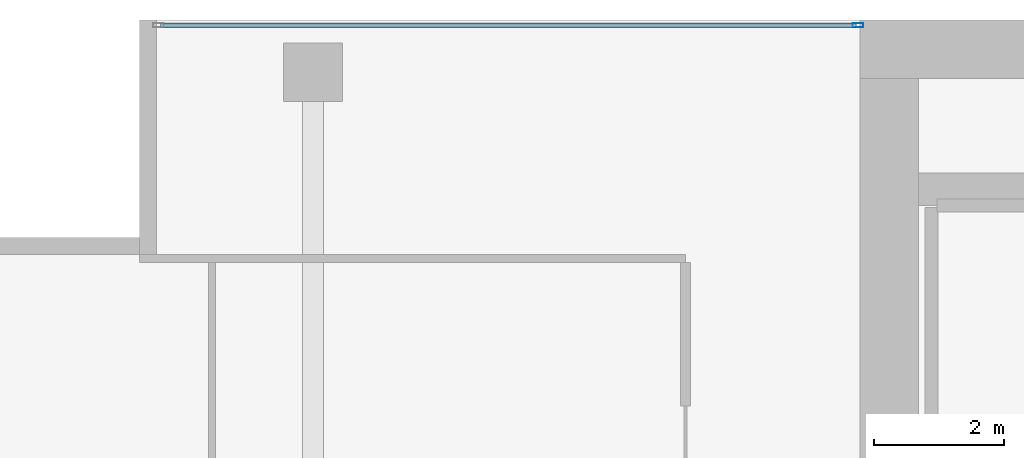
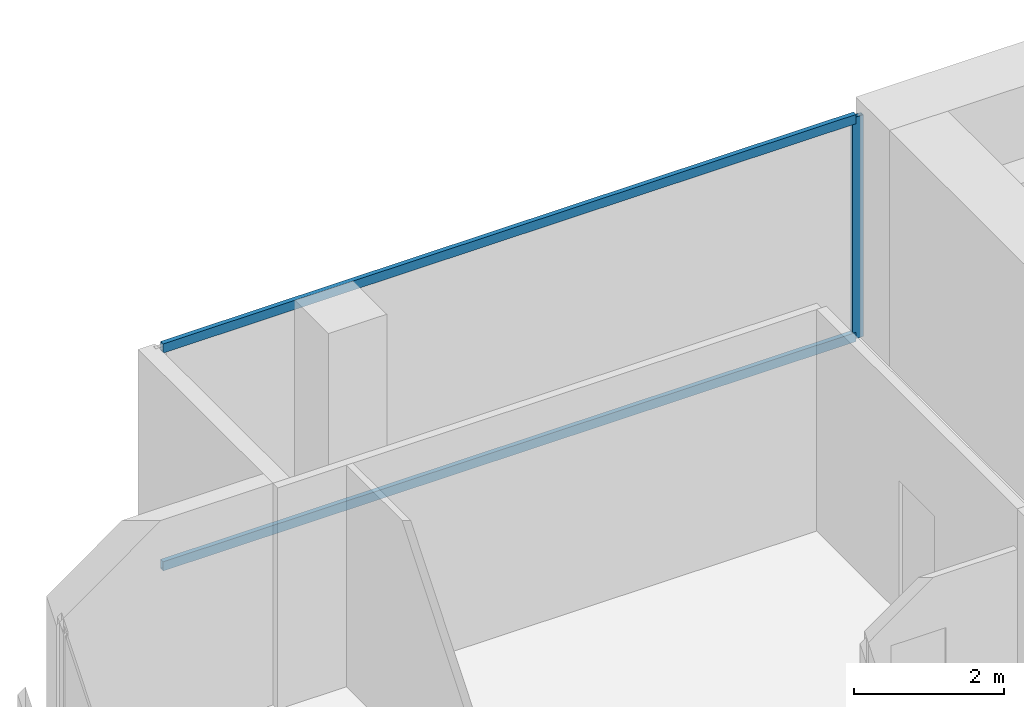
# One storey, part 26 of 40: 3 members, 1 element without a shape of its own.
"""IFC4 building model written with IfcOpenShell, lengths in metres."""

from ifc_helpers import new_model, si_unit, direction, frame, origin, origin_2d, place, context, subcontext, project, spatial, hollow_rectangle, extrude, material, layer, layer_set, material_profile, profile_set, type_object, element, aggregate, save


model = new_model("IFC4")

# Units and contexts
model_context = context("Model", 3, precision=1e-05, world=origin(), true_north=direction((0.0, 1.0)))
body_context = subcontext(model_context, "Body", "Model", "MODEL_VIEW")
ifc_project = project(units=[si_unit("LENGTHUNIT", "METRE"), si_unit("AREAUNIT", "SQUARE_METRE"), si_unit("VOLUMEUNIT", "CUBIC_METRE"), si_unit("PLANEANGLEUNIT", "RADIAN"), si_unit("MASSUNIT", "GRAM", prefix="KILO")], contexts=[model_context])

# Site, building, storey
site_placement = place(None, origin())
site = spatial("IfcSite", under=ifc_project, at=site_placement, CompositionType="ELEMENT")
building_placement = place(site_placement, origin())
building = spatial("IfcBuilding", under=site, at=building_placement, Name="Maruvema Waterfront Hotel and Observation Tower", CompositionType="ELEMENT")
storey_placement = place(building_placement, frame((0.0, 0.0, 53.89990234375)))
storey = spatial("IfcBuildingStorey", under=building, at=storey_placement, Name="L12", CompositionType="ELEMENT", Elevation=53.89990234375)

# Curtain wall, members
ifc_material_1 = material(Name="Anodised bronze aluminium and solar-control low-E IGU", Category="aluminium")
ifc_layer = layer(ifc_material_1, 0.159912109375, Name="Zone 1 Bronze Inner Thermal Curtain Wall System CW-02")
ifc_layer_set = layer_set([ifc_layer], Name="Anodised bronze aluminium and solar-control low-E IGU")
curtain_wall_type = type_object("IfcCurtainWallType", Name="Zone 1 Bronze Inner Thermal Curtain Wall System CW-02", PredefinedType="USERDEFINED", material=ifc_layer_set)
curtain_wall_placement = place(storey_placement, origin())
curtain_wall = element("IfcCurtainWall", 1, at=curtain_wall_placement, inside=storey, type_object=curtain_wall_type, Name="L12 Curtain Wall CW-L12-NW", ObjectType="UNITISED CURTAIN WALL", PredefinedType="USERDEFINED")
ifc_material_2 = material(Name="Anodised architectural bronze aluminium", Category="aluminium")
ifc_material_profile_1 = material_profile(ifc_material_2, hollow_rectangle(XDim=0.070068359375, YDim=0.14990234375, WallThickness=0.00390625, at=origin_2d()), Name="ALU-T70x150")
ifc_profile_set_1 = profile_set([ifc_material_profile_1], Name="Anodised architectural bronze aluminium")
member_type_1 = type_object("IfcMemberType", Name="Curtain Wall Horizontal Transom ALU-T70x150", PredefinedType="USERDEFINED", material=ifc_profile_set_1)
member_1_placement = place(storey_placement, frame((25.139892578125, 53.919921875, 0.030029296875), z_axis=(-1.0, 0.0, 0.0), x_axis=(0.0, -1.0, 0.0)))
member_1 = element("IfcMember", 2, at=member_1_placement, type_object=member_type_1, Name="CW-02 transom 1.1", ObjectType="TRANSOM", PredefinedType="USERDEFINED", context=body_context, shape_type="SweptSolid", body=[
    extrude(hollow_rectangle(XDim=0.070068359375, YDim=0.14990234375, WallThickness=0.00390625, at=origin_2d()), origin(), (0.0, 0.0, 1.0), 10.679931640625),
])
member_2_placement = place(storey_placement, frame((25.139892578125, 53.919921875, 3.580078125), z_axis=(-1.0, 0.0, 0.0), x_axis=(0.0, -1.0, 0.0)))
member_2 = element("IfcMember", 3, at=member_2_placement, type_object=member_type_1, Name="CW-02 transom 1.2", ObjectType="TRANSOM", PredefinedType="USERDEFINED", context=body_context, shape_type="SweptSolid", body=[
    extrude(hollow_rectangle(XDim=0.070068359375, YDim=0.14990234375, WallThickness=0.00390625, at=origin_2d()), origin(), (0.0, 0.0, 1.0), 10.679931640625),
])
ifc_material_3 = material(Name="Anodised architectural bronze aluminium", Category="aluminium")
ifc_material_profile_2 = material_profile(ifc_material_3, hollow_rectangle(XDim=0.06494140625, YDim=0.1650390625, WallThickness=0.00390625, at=origin_2d()), Name="ALU-M65x165")
ifc_profile_set_2 = profile_set([ifc_material_profile_2], Name="Anodised architectural bronze aluminium")
member_type_2 = type_object("IfcMemberType", Name="Curtain Wall Primary Mullion ALU-M65x165", PredefinedType="MULLION", material=ifc_profile_set_2)
member_3_placement = place(storey_placement, frame((25.169921875, 53.919921875, 0.0), z_axis=(0.0, 0.0, 1.0), x_axis=(0.0, -1.0, 0.0)))
member_3 = element("IfcMember", 4, at=member_3_placement, type_object=member_type_2, Name="CW-02 mullion 1", PredefinedType="MULLION", context=body_context, shape_type="SweptSolid", body=[
    extrude(hollow_rectangle(XDim=0.06494140625, YDim=0.1650390625, WallThickness=0.00390625, at=origin_2d()), origin(), (0.0, 0.0, 1.0), 3.610107421875),
])
aggregate(curtain_wall, [member_3, member_1, member_2])

save(model, "model.ifc")
